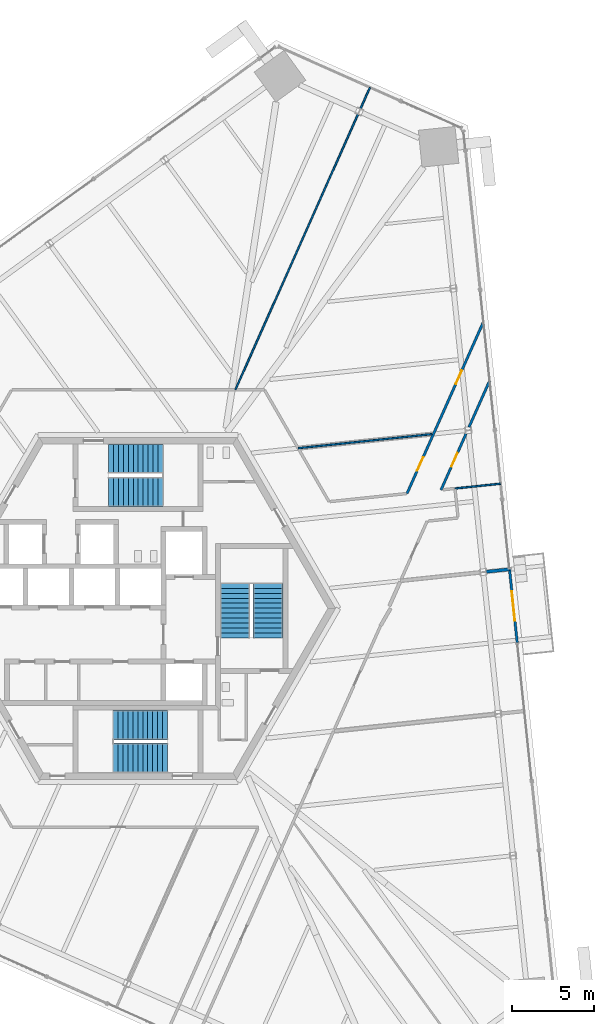
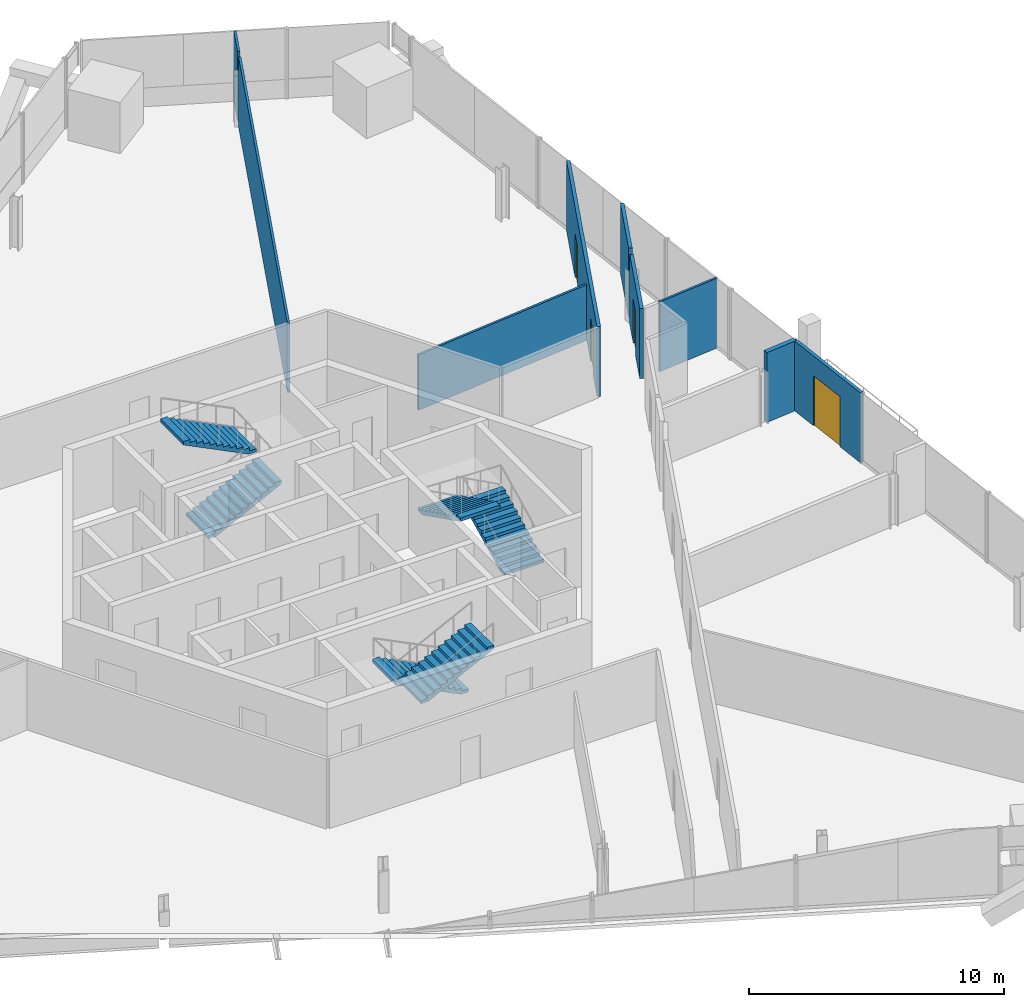
# One storey, part 21 of 25: 9 walls, 6 stair flights, 4 doors, 4 openings, 3 elements without a shape of their own.
"""IFC4 building model written with IfcOpenShell, lengths in metres."""

from ifc_helpers import new_model, si_unit, direction, frame, frame_2d, origin, place, context, subcontext, project, spatial, polyline, rectangle, outline, extrude, source, transform, mapped, material, layer, layer_set, type_object, element, fill, aggregate, save


model = new_model("IFC4")

# Units and contexts
model_context = context("Model", 3, precision=1e-05, world=origin(), true_north=direction((0.0, 1.0)))
body_context = subcontext(model_context, "Body", "Model", "MODEL_VIEW")
ifc_project = project(units=[si_unit("LENGTHUNIT", "METRE"), si_unit("AREAUNIT", "SQUARE_METRE"), si_unit("VOLUMEUNIT", "CUBIC_METRE"), si_unit("PLANEANGLEUNIT", "RADIAN"), si_unit("MASSUNIT", "GRAM", prefix="KILO")], contexts=[model_context])

# Site, building, storey
site_placement = place(None, origin())
site = spatial("IfcSite", under=ifc_project, at=site_placement, CompositionType="ELEMENT")
building_placement = place(site_placement, origin())
building = spatial("IfcBuilding", under=site, at=building_placement, Name="Triune Harvest Tower", CompositionType="ELEMENT")
storey_placement = place(building_placement, frame((0.0, 0.0, 90.89990234375)))
storey = spatial("IfcBuildingStorey", under=building, at=storey_placement, Name="L22", CompositionType="ELEMENT", Elevation=90.89990234375)

# Wall, opening, door
ifc_material_1 = material(Name="Gypsum board on steel studs", Category="steel")
ifc_layer_1 = layer(ifc_material_1, 0.14990234375)
ifc_layer_set_1 = layer_set([ifc_layer_1], Name="Gypsum board on steel studs")
wall_type_1 = type_object("IfcWallType", Name="Fire Partition 150 mm", PredefinedType="PARTITIONING", material=ifc_layer_set_1)
wall_1_placement = place(storey_placement, frame((18.41162109375, 7.1953125, 0.0), z_axis=(0.0, 0.0, 1.0), x_axis=(0.406767795553, 0.91353158703, 0.0)))
wall_1 = element("IfcWall", 1, at=wall_1_placement, inside=storey, type_object=wall_type_1, Name="Partition L22 047", PredefinedType="PARTITIONING", context=body_context, shape_type="SweptSolid", body=[
    extrude(rectangle(XDim=3.742919921875, YDim=0.14990234375, at=frame_2d((1.87158203125, 0.0))), origin(), (0.0, 0.0, 1.0), 3.35009765625),
])
opening_1_placement = place(wall_1_placement, frame((1.5498046875, 0.0, 0.0)))
opening_1 = element("IfcOpeningElement", 2, at=opening_1_placement, cuts=wall_1, Name="Opening L22-006", PredefinedType="OPENING", context=body_context, shape_type="SweptSolid", body=[
    extrude(rectangle(XDim=0.89990234375, YDim=2.10009765625, at=frame_2d((0.449951171875, 1.050048828125))), frame((0.0, 0.0849609375, 0.0), z_axis=(0.0, -1.0, 0.0), x_axis=(1.0, 0.0, 0.0)), (0.0, 0.0, 1.0), 0.169921875),
])
ifc_material_2 = material(Name="Timber and steel door set", Category="steel")
door_type_1 = type_object("IfcDoorType", Name="Single leaf door FD30 left hand 900 x 2100", OperationType="SINGLE_SWING_LEFT", PredefinedType="DOOR", material=ifc_material_2)
door_1_placement = place(opening_1_placement, origin())
door_1 = element("IfcDoor", 3, at=door_1_placement, inside=storey, type_object=door_type_1, Name="Door L22-006 Dry Store Room 22.06", OperationType="SINGLE_SWING_LEFT", OverallHeight=2.10009765625, OverallWidth=0.89990234375, PredefinedType="DOOR", context=body_context, shape_type="SweptSolid", body=[
    extrude(rectangle(XDim=0.89990234375, YDim=2.10009765625, at=frame_2d((0.449951171875, 1.050048828125))), frame((0.0, 0.02490234375, 0.0), z_axis=(0.0, -1.0, 0.0), x_axis=(1.0, 0.0, 0.0)), (0.0, 0.0, 1.0), 0.050048828125),
])
fill(opening_1, door_1)

# Wall
wall_2_placement = place(storey_placement, frame((20.112060546875, 11.01416015625, 0.0), z_axis=(0.0, 0.0, 1.0), x_axis=(0.406717595281, 0.91355393803, 0.0)))
element("IfcWall", 4, at=wall_2_placement, inside=storey, type_object=wall_type_1, Name="Partition L22 048", PredefinedType="PARTITIONING", context=body_context, shape_type="SweptSolid", body=[
    extrude(rectangle(XDim=3.089599609375, YDim=0.14990234375, at=frame_2d((1.544921875, 0.0))), origin(), (0.0, 0.0, 1.0), 3.35009765625),
])

# Wall, openings, doors
wall_3_placement = place(storey_placement, frame((16.344482421875, 6.977783203125, 0.0), z_axis=(0.0, 0.0, 1.0), x_axis=(0.406735071701, 0.913546157262, 0.0)))
wall_3 = element("IfcWall", 5, at=wall_3_placement, inside=storey, type_object=wall_type_1, Name="Partition L22 050", PredefinedType="PARTITIONING", context=body_context, shape_type="SweptSolid", body=[
    extrude(rectangle(XDim=11.4267578125, YDim=0.14990234375, at=frame_2d((5.71337890625, 0.0))), origin(), (0.0, 0.0, 1.0), 3.35009765625),
])
opening_2_placement = place(wall_3_placement, frame((1.51171875, 0.0, 0.0)))
opening_2 = element("IfcOpeningElement", 6, at=opening_2_placement, cuts=wall_3, Name="Opening L22-003", PredefinedType="OPENING", context=body_context, shape_type="SweptSolid", body=[
    extrude(rectangle(XDim=0.89990234375, YDim=2.10009765625, at=frame_2d((0.449951171875, 1.050048828125))), frame((0.0, 0.0849609375, 0.0), z_axis=(0.0, -1.0, 0.0), x_axis=(1.0, 0.0, 0.0)), (0.0, 0.0, 1.0), 0.169921875),
])
opening_3_placement = place(wall_3_placement, frame((7.27685546875, 0.0, 0.0)))
opening_3 = element("IfcOpeningElement", 7, at=opening_3_placement, cuts=wall_3, Name="Opening L22-005", PredefinedType="OPENING", context=body_context, shape_type="SweptSolid", body=[
    extrude(rectangle(XDim=0.89990234375, YDim=2.10009765625, at=frame_2d((0.449951171875, 1.050048828125))), frame((0.0, 0.0849609375, 0.0), z_axis=(0.0, -1.0, 0.0), x_axis=(1.0, 0.0, 0.0)), (0.0, 0.0, 1.0), 0.169921875),
])
door_2_placement = place(opening_2_placement, origin())
door_2 = element("IfcDoor", 8, at=door_2_placement, inside=storey, type_object=door_type_1, Name="Door L22-003 Meeting Room 22.03", OperationType="SINGLE_SWING_LEFT", OverallHeight=2.10009765625, OverallWidth=0.89990234375, PredefinedType="DOOR", context=body_context, shape_type="SweptSolid", body=[
    extrude(rectangle(XDim=0.89990234375, YDim=2.10009765625, at=frame_2d((0.449951171875, 1.050048828125))), frame((0.0, 0.02490234375, 0.0), z_axis=(0.0, -1.0, 0.0), x_axis=(1.0, 0.0, 0.0)), (0.0, 0.0, 1.0), 0.050048828125),
])
fill(opening_2, door_2)
ifc_material_3 = material(Name="Timber and steel door set", Category="steel")
door_type_2 = type_object("IfcDoorType", Name="Single leaf door FD30 right hand 900 x 2100", OperationType="SINGLE_SWING_RIGHT", PredefinedType="DOOR", material=ifc_material_3)
door_3_placement = place(opening_3_placement, origin())
door_3 = element("IfcDoor", 9, at=door_3_placement, inside=storey, type_object=door_type_2, Name="Door L22-005 Office 22.05", OperationType="SINGLE_SWING_RIGHT", OverallHeight=2.10009765625, OverallWidth=0.89990234375, PredefinedType="DOOR", context=body_context, shape_type="SweptSolid", body=[
    extrude(rectangle(XDim=0.89990234375, YDim=2.10009765625, at=frame_2d((0.449951171875, 1.050048828125))), frame((0.0, 0.02490234375, 0.0), z_axis=(0.0, -1.0, 0.0), x_axis=(1.0, 0.0, 0.0)), (0.0, 0.0, 1.0), 0.050048828125),
])
fill(opening_3, door_3)

# Walls
ifc_material_4 = material(Name="Gypsum board on steel studs", Category="steel")
ifc_layer_2 = layer(ifc_material_4, 0.199951171875)
ifc_layer_set_2 = layer_set([ifc_layer_2], Name="Gypsum board on steel studs")
wall_type_2 = type_object("IfcWallType", Name="Fire Wall 200 mm", PredefinedType="PARTITIONING", material=ifc_layer_set_2)
wall_4_placement = place(storey_placement, frame((21.162841796875, 2.224365234375, 0.0), z_axis=(0.0, 0.0, 1.0), x_axis=(0.994507339329, 0.104666862093, 0.0)))
element("IfcWall", 10, at=wall_4_placement, inside=storey, type_object=wall_type_2, Name="Partition L22 027", PredefinedType="PARTITIONING", context=body_context, shape_type="SweptSolid", body=[
    extrude(rectangle(XDim=1.418212890625, YDim=0.199951171875, at=frame_2d((0.708984375, 0.0))), origin(), (0.0, 0.0, 1.0), 3.35009765625),
])
ifc_material_5 = material(Name="Gypsum board on steel studs", Category="steel")
ifc_layer_3 = layer(ifc_material_5, 0.10009765625)
ifc_layer_set_3 = layer_set([ifc_layer_3], Name="Gypsum board on steel studs")
wall_type_3 = type_object("IfcWallType", Name="Partition 100 mm", PredefinedType="PARTITIONING", material=ifc_layer_set_3)
wall_5_placement = place(storey_placement, frame((19.261474609375, 7.2841796875, 0.0), z_axis=(0.0, 0.0, 1.0), x_axis=(0.994525642509, 0.104492805455, 0.0)))
element("IfcWall", 11, at=wall_5_placement, inside=storey, type_object=wall_type_3, Name="Partition L22 035", PredefinedType="PARTITIONING", context=body_context, shape_type="SweptSolid", body=[
    extrude(rectangle(XDim=2.7802734375, YDim=0.10009765625, at=frame_2d((1.39013671875, 0.0))), origin(), (0.0, 0.0, 1.0), 3.35009765625),
])
wall_6_placement = place(storey_placement, frame((9.7294921875, 9.732421875, 0.0), z_axis=(0.0, 0.0, 1.0), x_axis=(0.994521954483, 0.104527900824, 0.0)))
element("IfcWall", 12, at=wall_6_placement, inside=storey, type_object=wall_type_3, Name="Partition L22 037", PredefinedType="PARTITIONING", context=body_context, shape_type="SweptSolid", body=[
    extrude(rectangle(XDim=8.181884765625, YDim=0.10009765625, at=frame_2d((4.0908203125, 0.0))), origin(), (0.0, 0.0, 1.0), 2.6669921875),
])

# Wall, opening, door
ifc_material_6 = material(Name="Aluminium bronze anodised", Category="aluminium")
ifc_layer_4 = layer(ifc_material_6, 0.14990234375)
ifc_layer_set_4 = layer_set([ifc_layer_4], Name="Aluminium bronze anodised")
wall_type_4 = type_object("IfcWallType", Name="WW-2 balcony window wall", PredefinedType="ELEMENTEDWALL", material=ifc_layer_set_4)
shared_shape_1 = source(origin(), body_context, "Body", "SweptSolid", [
    extrude(rectangle(XDim=4.485595703125, YDim=0.14990234375, at=frame_2d((2.24267578125, 0.0))), origin(), (0.0, 0.0, 1.0), 3.35009765625),
])
wall_7_placement = place(storey_placement, frame((22.573486328125, 2.37255859375, 0.0), z_axis=(0.0, 0.0, 1.0), x_axis=(0.104503452586, -0.994524523779, 0.0)))
wall_7 = element("IfcWall", 13, at=wall_7_placement, inside=storey, type_object=wall_type_4, Name="WW-2 B2-F1 L22.6", PredefinedType="ELEMENTEDWALL", context=body_context, shape_type="MappedRepresentation", body=[
    mapped(shared_shape_1, transform((0.0, 0.0, 0.0), scale=1.0)),
])
opening_4_placement = place(wall_7_placement, frame((1.3427734375, 0.0, 0.0)))
opening_4 = element("IfcOpeningElement", 14, at=opening_4_placement, cuts=wall_7, Name="Opening L22-E01", PredefinedType="OPENING", context=body_context, shape_type="SweptSolid", body=[
    extrude(rectangle(XDim=1.800048828125, YDim=2.39990234375, at=frame_2d((0.89990234375, 1.199951171875))), frame((0.0, 0.0849609375, 0.0), z_axis=(0.0, -1.0, 0.0), x_axis=(1.0, 0.0, 0.0)), (0.0, 0.0, 1.0), 0.169921875),
])
ifc_material_7 = material(Name="Glass", Category="glass")
door_type_3 = type_object("IfcDoorType", Name="DB-1 balcony door 1800 x 2400", OperationType="DOUBLE_DOOR_SINGLE_SWING", PredefinedType="DOOR", material=ifc_material_7)
door_4_placement = place(opening_4_placement, origin())
door_4 = element("IfcDoor", 15, at=door_4_placement, inside=storey, type_object=door_type_3, Name="Door L22-E01", OperationType="DOUBLE_DOOR_SINGLE_SWING", OverallHeight=2.39990234375, OverallWidth=1.800048828125, PredefinedType="DOOR", context=body_context, shape_type="SweptSolid", body=[
    extrude(rectangle(XDim=1.800048828125, YDim=2.39990234375, at=frame_2d((0.89990234375, 1.199951171875))), frame((0.0, 0.02490234375, 0.0), z_axis=(0.0, -1.0, 0.0), x_axis=(1.0, 0.0, 0.0)), (0.0, 0.0, 1.0), 0.050048828125),
])
fill(opening_4, door_4)

# Walls
shared_shape_2 = source(origin(), body_context, "Body", "SweptSolid", [
    extrude(rectangle(XDim=18.314208984375, YDim=0.10009765625, at=frame_2d((9.1572265625, 0.0))), origin(), (0.0, 0.0, 1.0), 3.35009765625),
])
wall_8_placement = place(storey_placement, frame((5.918212890625, 13.292236328125, 0.0), z_axis=(0.0, 0.0, 1.0), x_axis=(0.406730837849, 0.913548042274, 0.0)))
element("IfcWall", 16, at=wall_8_placement, inside=storey, type_object=wall_type_3, Name="Partition L22 053", PredefinedType="PARTITIONING", context=body_context, shape_type="MappedRepresentation", body=[
    mapped(shared_shape_2, transform((0.0, 0.0, 0.0), scale=1.0)),
])
shared_shape_3 = source(origin(), body_context, "Body", "SweptSolid", [
    extrude(rectangle(XDim=1.418212890625, YDim=0.10009765625, at=frame_2d((0.708984375, 0.0))), origin(), (0.0, 0.0, 1.0), 3.35009765625),
])
wall_9_placement = place(storey_placement, frame((13.519287109375, 30.36474609375, 0.0), z_axis=(0.0, 0.0, 1.0), x_axis=(0.40676126154, 0.913534496399, 0.0)))
element("IfcWall", 17, at=wall_9_placement, inside=storey, type_object=wall_type_3, Name="Partition L22 054", PredefinedType="PARTITIONING", context=body_context, shape_type="MappedRepresentation", body=[
    mapped(shared_shape_3, transform((0.0, 0.0, 0.0), scale=1.0)),
])

# Stair, stair flights
ifc_material_8 = material(Name="Concrete 40 MPa", Category="concrete")
stair_type = type_object("IfcStairType", Name="Exit stair 1800 half turn", PredefinedType="HALF_TURN_STAIR", material=ifc_material_8)
stair_1_placement = place(storey_placement, origin())
stair_1 = element("IfcStair", 18, at=stair_1_placement, inside=storey, type_object=stair_type, Name="Exit stair north", PredefinedType="HALF_TURN_STAIR")
ifc_material_9 = material(Name="Concrete 40 MPa", Category="concrete")
stair_flight_type = type_object("IfcStairFlightType", Name="Stair flight 1800", PredefinedType="STRAIGHT", material=ifc_material_9)
shared_shape_4 = source(origin(), body_context, "Body", "SweptSolid", [
    extrude(outline(polyline([(0.0, 0.0), (0.0, 0.14990234375), (0.300048828125, 0.14990234375), (0.300048828125, 0.300048828125), (0.60009765625, 0.300048828125), (0.60009765625, 0.449951171875), (0.89990234375, 0.449951171875), (0.89990234375, 0.60009765625), (1.199951171875, 0.60009765625), (1.199951171875, 0.75), (1.5, 0.75), (1.5, 0.89990234375), (1.800048828125, 0.89990234375), (1.800048828125, 1.050048828125), (2.10009765625, 1.050048828125), (2.10009765625, 1.199951171875), (2.39990234375, 1.199951171875), (2.39990234375, 1.35009765625), (2.699951171875, 1.35009765625), (2.699951171875, 1.5), (3.0, 1.5), (3.0, 1.64990234375), (3.300048828125, 1.64990234375), (3.300048828125, 1.800048828125), (3.300048828125, 1.482421875), (0.335205078125, 0.0), (0.0, 0.0)])), frame((0.0, 0.89990234375, 0.0), z_axis=(0.0, -1.0, 0.0), x_axis=(1.0, 0.0, 0.0)), (0.0, 0.0, 1.0), 1.800048828125),
])
stair_flight_1_placement = place(storey_placement, frame((-1.7900390625, 7.090087890625, 0.0), z_axis=(0.0, 0.0, 1.0), x_axis=(1.0, 0.0, 0.0)))
stair_flight_1 = element("IfcStairFlight", 19, at=stair_flight_1_placement, type_object=stair_flight_type, Name="ST-1 flight 1", NumberOfRisers=12, NumberOfTreads=11, PredefinedType="STRAIGHT", RiserHeight=0.15, TreadLength=0.3, context=body_context, shape_type="MappedRepresentation", body=[
    mapped(shared_shape_4, transform((0.0, 0.0, 0.0), scale=1.0)),
])
stair_flight_2_placement = place(storey_placement, frame((1.510009765625, 9.090087890625, 1.800048828125), z_axis=(0.0, 0.0, 1.0), x_axis=(-1.0, 0.0, 0.0)))
stair_flight_2 = element("IfcStairFlight", 20, at=stair_flight_2_placement, type_object=stair_flight_type, Name="ST-1 flight 2", NumberOfRisers=12, NumberOfTreads=11, PredefinedType="STRAIGHT", RiserHeight=0.15, TreadLength=0.3, context=body_context, shape_type="MappedRepresentation", body=[
    mapped(shared_shape_4, transform((0.0, 0.0, 0.0), scale=1.0)),
])
aggregate(stair_1, [stair_flight_1, stair_flight_2])

stair_2_placement = place(storey_placement, origin())
stair_2 = element("IfcStair", 21, at=stair_2_placement, inside=storey, type_object=stair_type, Name="Exit stair south", PredefinedType="HALF_TURN_STAIR")
stair_flight_3_placement = place(storey_placement, frame((1.7900390625, -7.090087890625, 0.0), z_axis=(0.0, 0.0, 1.0), x_axis=(-1.0, 0.0, 0.0)))
stair_flight_3 = element("IfcStairFlight", 22, at=stair_flight_3_placement, type_object=stair_flight_type, Name="ST-2 flight 1", NumberOfRisers=12, NumberOfTreads=11, PredefinedType="STRAIGHT", RiserHeight=0.15, TreadLength=0.3, context=body_context, shape_type="MappedRepresentation", body=[
    mapped(shared_shape_4, transform((0.0, 0.0, 0.0), scale=1.0)),
])
stair_flight_4_placement = place(storey_placement, frame((-1.510009765625, -9.090087890625, 1.800048828125), z_axis=(0.0, 0.0, 1.0), x_axis=(1.0, 0.0, 0.0)))
stair_flight_4 = element("IfcStairFlight", 23, at=stair_flight_4_placement, type_object=stair_flight_type, Name="ST-2 flight 2", NumberOfRisers=12, NumberOfTreads=11, PredefinedType="STRAIGHT", RiserHeight=0.15, TreadLength=0.3, context=body_context, shape_type="MappedRepresentation", body=[
    mapped(shared_shape_4, transform((0.0, 0.0, 0.0), scale=1.0)),
])
aggregate(stair_2, [stair_flight_3, stair_flight_4])

stair_3_placement = place(storey_placement, origin())
stair_3 = element("IfcStair", 24, at=stair_3_placement, inside=storey, type_object=stair_type, Name="Exit stair east", PredefinedType="HALF_TURN_STAIR")
stair_flight_5_placement = place(storey_placement, frame((7.89990234375, -1.7900390625, 0.0), z_axis=(0.0, 0.0, 1.0), x_axis=(0.0, 1.0, 0.0)))
stair_flight_5 = element("IfcStairFlight", 25, at=stair_flight_5_placement, type_object=stair_flight_type, Name="ST-3 flight 1", NumberOfRisers=12, NumberOfTreads=11, PredefinedType="STRAIGHT", RiserHeight=0.15, TreadLength=0.3, context=body_context, shape_type="MappedRepresentation", body=[
    mapped(shared_shape_4, transform((0.0, 0.0, 0.0), scale=1.0)),
])
stair_flight_6_placement = place(storey_placement, frame((5.89990234375, 1.510009765625, 1.800048828125), z_axis=(0.0, 0.0, 1.0), x_axis=(0.0, -1.0, 0.0)))
stair_flight_6 = element("IfcStairFlight", 26, at=stair_flight_6_placement, type_object=stair_flight_type, Name="ST-3 flight 2", NumberOfRisers=12, NumberOfTreads=11, PredefinedType="STRAIGHT", RiserHeight=0.15, TreadLength=0.3, context=body_context, shape_type="MappedRepresentation", body=[
    mapped(shared_shape_4, transform((0.0, 0.0, 0.0), scale=1.0)),
])
aggregate(stair_3, [stair_flight_5, stair_flight_6])

save(model, "model.ifc")
